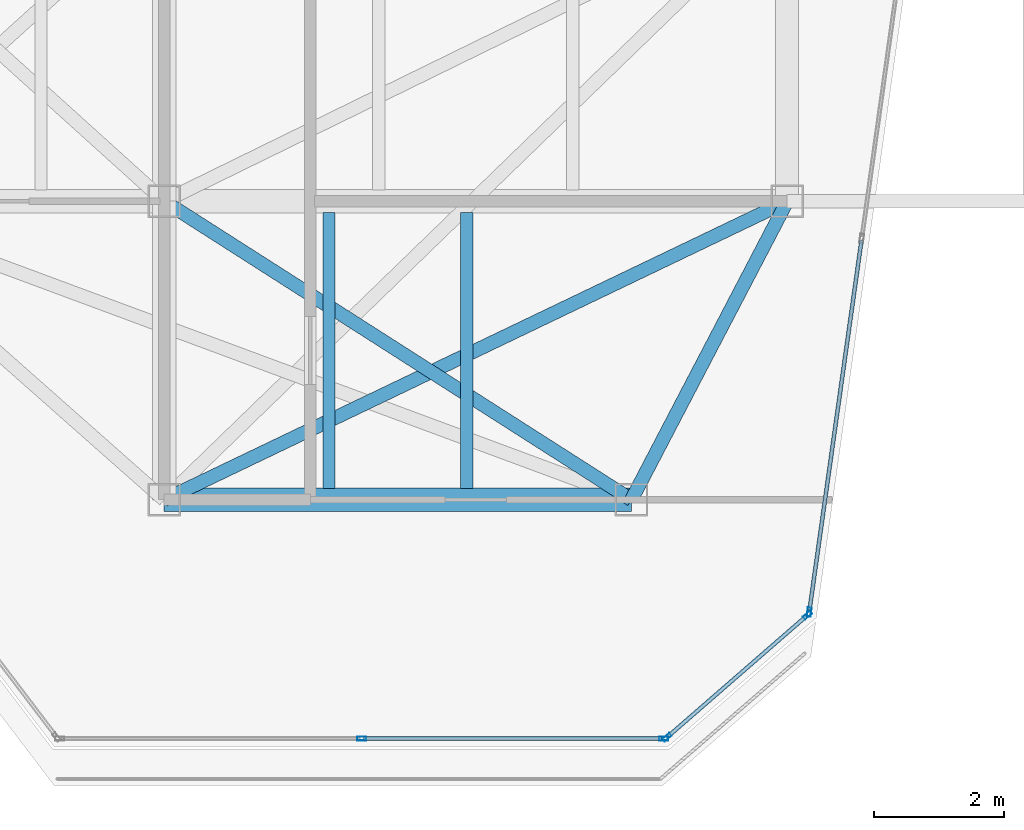
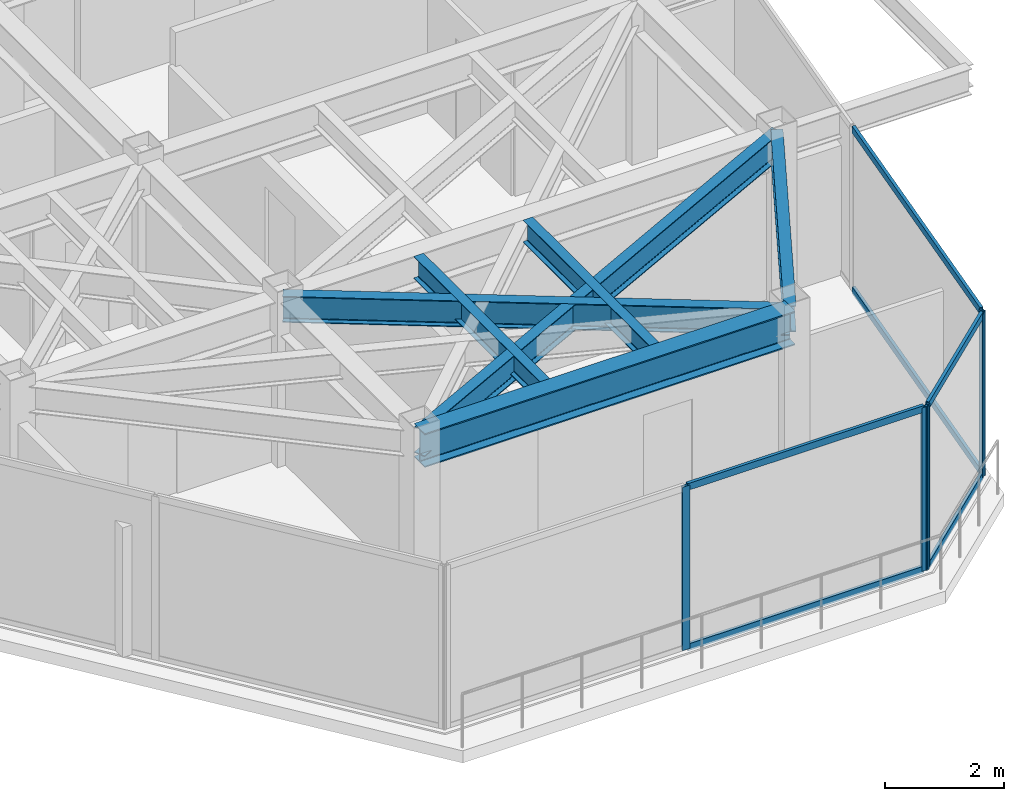
# One storey, part 8 of 17: 11 members, 6 beams, 3 elements without a shape of their own.
"""IFC4 building model written with IfcOpenShell, lengths in metres."""

from ifc_helpers import new_model, si_unit, direction, frame, origin, origin_2d, place, context, subcontext, project, spatial, hollow_rectangle, i_section, extrude, material, layer, layer_set, material_profile, profile_set, type_object, element, aggregate, save


model = new_model("IFC4")

# Units and contexts
model_context = context("Model", 3, precision=1e-05, world=origin(), true_north=direction((0.0, 1.0)))
body_context = subcontext(model_context, "Body", "Model", "MODEL_VIEW")
ifc_project = project(units=[si_unit("LENGTHUNIT", "METRE"), si_unit("AREAUNIT", "SQUARE_METRE"), si_unit("VOLUMEUNIT", "CUBIC_METRE"), si_unit("PLANEANGLEUNIT", "RADIAN"), si_unit("MASSUNIT", "GRAM", prefix="KILO")], contexts=[model_context])

# Site, building, storey
site_placement = place(None, origin())
site = spatial("IfcSite", under=ifc_project, at=site_placement, CompositionType="ELEMENT")
building_placement = place(site_placement, origin())
building = spatial("IfcBuilding", under=site, at=building_placement, Name="Kravanh Interchange Tower", CompositionType="ELEMENT")
storey_placement = place(building_placement, frame((0.0, 0.0, 263.39990234375)))
storey = spatial("IfcBuildingStorey", under=building, at=storey_placement, Name="L64", CompositionType="ELEMENT", Elevation=263.39990234375)

# Curtain wall, member
ifc_material_1 = material(Name="Anodised Bronze Aluminium", Category="aluminium")
ifc_layer = layer(ifc_material_1, 0.179931640625)
ifc_layer_set = layer_set([ifc_layer], Name="Unitised Curtain Wall System CW-HTL Luxury Hotel")
curtain_wall_type = type_object("IfcCurtainWallType", Name="Unitised Curtain Wall System CW-HTL Luxury Hotel", PredefinedType="NOTDEFINED", material=ifc_layer_set)
curtain_wall_1_placement = place(storey_placement, origin())
curtain_wall_1 = element("IfcCurtainWall", 1, at=curtain_wall_1_placement, inside=storey, type_object=curtain_wall_type, Name="L64 Unitised Curtain Wall CW-L64-01", PredefinedType="NOTDEFINED")
ifc_material_2 = material(Name="Anodised Bronze Aluminium", Category="aluminium")
ifc_material_profile_1 = material_profile(ifc_material_2, hollow_rectangle(XDim=0.06005859375, YDim=0.139892578125, WallThickness=0.00390625, at=origin_2d()), Name="ALU60X140X4")
ifc_profile_set_1 = profile_set([ifc_material_profile_1], Name="Anodised Bronze Aluminium")
member_type_1 = type_object("IfcMemberType", Name="Curtain Wall Mullion ALU60X140X4 Bronze", PredefinedType="MULLION", material=ifc_profile_set_1)
member_1_placement = place(storey_placement, frame((65.939697265625, 20.47119140625, 0.0), z_axis=(0.0, 0.0, 1.0), x_axis=(0.990267785894, -0.139175113512, 0.0)))
member_1 = element("IfcMember", 2, at=member_1_placement, type_object=member_type_1, Name="CW-HTL mullion 4", PredefinedType="MULLION", context=body_context, shape_type="SweptSolid", body=[
    extrude(hollow_rectangle(XDim=0.06005859375, YDim=0.139892578125, WallThickness=0.00390625, at=origin_2d()), origin(), (0.0, 0.0, 1.0), 3.360107421875),
])

# Curtain wall, members
curtain_wall_2_placement = place(storey_placement, origin())
curtain_wall_2 = element("IfcCurtainWall", 3, at=curtain_wall_2_placement, inside=storey, type_object=curtain_wall_type, Name="L64 Unitised Curtain Wall CW-L64-02", PredefinedType="NOTDEFINED")
member_2_placement = place(storey_placement, frame((65.912841796875, 20.421875, 0.0), z_axis=(0.0, 0.0, 1.0), x_axis=(0.656033323139, -0.75473192521, 0.0)))
member_2 = element("IfcMember", 4, at=member_2_placement, type_object=member_type_1, Name="CW-HTL mullion 1", PredefinedType="MULLION", context=body_context, shape_type="SweptSolid", body=[
    extrude(hollow_rectangle(XDim=0.06005859375, YDim=0.139892578125, WallThickness=0.00390625, at=origin_2d()), origin(), (0.0, 0.0, 1.0), 3.360107421875),
])
member_3_placement = place(storey_placement, frame((63.74755859375, 18.539794921875, 0.0), z_axis=(0.0, 0.0, 1.0), x_axis=(0.656033323139, -0.75473192521, 0.0)))
member_3 = element("IfcMember", 5, at=member_3_placement, type_object=member_type_1, Name="CW-HTL mullion 2", PredefinedType="MULLION", context=body_context, shape_type="SweptSolid", body=[
    extrude(hollow_rectangle(XDim=0.06005859375, YDim=0.139892578125, WallThickness=0.00390625, at=origin_2d()), origin(), (0.0, 0.0, 1.0), 3.360107421875),
])

curtain_wall_3_placement = place(storey_placement, origin())
curtain_wall_3 = element("IfcCurtainWall", 6, at=curtain_wall_3_placement, inside=storey, type_object=curtain_wall_type, Name="L64 Unitised Curtain Wall CW-L64-03", PredefinedType="NOTDEFINED")
member_4_placement = place(storey_placement, frame((63.69482421875, 18.52001953125, 0.0), z_axis=(0.0, 0.0, 1.0), x_axis=(0.0, -1.0, 0.0)))
member_4 = element("IfcMember", 7, at=member_4_placement, type_object=member_type_1, Name="CW-HTL mullion 1", PredefinedType="MULLION", context=body_context, shape_type="SweptSolid", body=[
    extrude(hollow_rectangle(XDim=0.06005859375, YDim=0.139892578125, WallThickness=0.00390625, at=origin_2d()), origin(), (0.0, 0.0, 1.0), 3.360107421875),
])
member_5_placement = place(storey_placement, frame((59.042236328125, 18.52001953125, 0.0), z_axis=(0.0, 0.0, 1.0), x_axis=(0.0, -1.0, 0.0)))
member_5 = element("IfcMember", 8, at=member_5_placement, type_object=member_type_1, Name="CW-HTL mullion 2", PredefinedType="MULLION", context=body_context, shape_type="SweptSolid", body=[
    extrude(hollow_rectangle(XDim=0.06005859375, YDim=0.139892578125, WallThickness=0.00390625, at=origin_2d()), origin(), (0.0, 0.0, 1.0), 3.360107421875),
])

# Member
ifc_material_3 = material(Name="Anodised Bronze Aluminium", Category="aluminium")
ifc_material_profile_2 = material_profile(ifc_material_3, hollow_rectangle(XDim=0.06005859375, YDim=0.139892578125, WallThickness=0.00390625, at=origin_2d()), Name="ALU60X140X4")
ifc_profile_set_2 = profile_set([ifc_material_profile_2], Name="Anodised Bronze Aluminium")
member_type_2 = type_object("IfcMemberType", Name="Curtain Wall Transom ALU60X140X4 Bronze", PredefinedType="USERDEFINED", material=ifc_profile_set_2)
member_6_placement = place(storey_placement, frame((66.74462890625, 26.197998046875, 0.030029296875), z_axis=(-0.139193060383, -0.990265263423, 0.0), x_axis=(0.990265263423, -0.139193060383, 0.0)))
member_6 = element("IfcMember", 9, at=member_6_placement, type_object=member_type_2, Name="CW-HTL transom 3.1", ObjectType="TRANSOM", PredefinedType="USERDEFINED", context=body_context, shape_type="SweptSolid", body=[
    extrude(hollow_rectangle(XDim=0.06005859375, YDim=0.139892578125, WallThickness=0.00390625, at=origin_2d()), origin(), (0.0, 0.0, 1.0), 5.7529296875),
])

member_7_placement = place(storey_placement, frame((66.74462890625, 26.197998046875, 3.330078125), z_axis=(-0.139193060383, -0.990265263423, 0.0), x_axis=(0.990265263423, -0.139193060383, 0.0)))
member_7 = element("IfcMember", 10, at=member_7_placement, type_object=member_type_2, Name="CW-HTL transom 3.2", ObjectType="TRANSOM", PredefinedType="USERDEFINED", context=body_context, shape_type="SweptSolid", body=[
    extrude(hollow_rectangle(XDim=0.06005859375, YDim=0.139892578125, WallThickness=0.00390625, at=origin_2d()), origin(), (0.0, 0.0, 1.0), 5.7529296875),
])

aggregate(curtain_wall_1, [member_1, member_6, member_7])

member_8_placement = place(storey_placement, frame((65.89013671875, 20.40234375, 0.030029296875), z_axis=(-0.754704676026, -0.656064670581, 0.0), x_axis=(0.656064670581, -0.754704676026, 0.0)))
member_8 = element("IfcMember", 11, at=member_8_placement, type_object=member_type_2, Name="CW-HTL transom 1.1", ObjectType="TRANSOM", PredefinedType="USERDEFINED", context=body_context, shape_type="SweptSolid", body=[
    extrude(hollow_rectangle(XDim=0.06005859375, YDim=0.139892578125, WallThickness=0.00390625, at=origin_2d()), origin(), (0.0, 0.0, 1.0), 2.80908203125),
])

member_9_placement = place(storey_placement, frame((65.89013671875, 20.40234375, 3.330078125), z_axis=(-0.754704676026, -0.656064670581, 0.0), x_axis=(0.656064670581, -0.754704676026, 0.0)))
member_9 = element("IfcMember", 12, at=member_9_placement, type_object=member_type_2, Name="CW-HTL transom 1.2", ObjectType="TRANSOM", PredefinedType="USERDEFINED", context=body_context, shape_type="SweptSolid", body=[
    extrude(hollow_rectangle(XDim=0.06005859375, YDim=0.139892578125, WallThickness=0.00390625, at=origin_2d()), origin(), (0.0, 0.0, 1.0), 2.80908203125),
])

aggregate(curtain_wall_2, [member_2, member_3, member_8, member_9])

member_10_placement = place(storey_placement, frame((63.664794921875, 18.52001953125, 0.030029296875), z_axis=(-1.0, 0.0, 0.0), x_axis=(0.0, -1.0, 0.0)))
member_10 = element("IfcMember", 13, at=member_10_placement, type_object=member_type_2, Name="CW-HTL transom 1.1", ObjectType="TRANSOM", PredefinedType="USERDEFINED", context=body_context, shape_type="SweptSolid", body=[
    extrude(hollow_rectangle(XDim=0.06005859375, YDim=0.139892578125, WallThickness=0.00390625, at=origin_2d()), origin(), (0.0, 0.0, 1.0), 4.592529296875),
])

member_11_placement = place(storey_placement, frame((63.664794921875, 18.52001953125, 3.330078125), z_axis=(-1.0, 0.0, 0.0), x_axis=(0.0, -1.0, 0.0)))
member_11 = element("IfcMember", 14, at=member_11_placement, type_object=member_type_2, Name="CW-HTL transom 1.2", ObjectType="TRANSOM", PredefinedType="USERDEFINED", context=body_context, shape_type="SweptSolid", body=[
    extrude(hollow_rectangle(XDim=0.06005859375, YDim=0.139892578125, WallThickness=0.00390625, at=origin_2d()), origin(), (0.0, 0.0, 1.0), 4.592529296875),
])

aggregate(curtain_wall_3, [member_4, member_5, member_10, member_11])

# Beams
ifc_material_4 = material(Name="Structural Steel S355", Category="steel")
ifc_material_profile_3 = material_profile(ifc_material_4, i_section(OverallWidth=0.35498046875, OverallDepth=0.696044921875, WebThickness=0.015380859375, FlangeThickness=0.02490234375, FilletRadius=0.02392578125, at=origin_2d()), Name="W27X146")
ifc_profile_set_3 = profile_set([ifc_material_profile_3], Name="Structural Steel S355")
beam_type_1 = type_object("IfcBeamType", Name="Floor Beam W27X146 Structural Steel S355", PredefinedType="BEAM", material=ifc_profile_set_3)
beam_1_placement = place(storey_placement, frame((56.0, 22.199951171875, 3.01220703125), z_axis=(1.0, 0.0, 0.0), x_axis=(0.0, 1.0, 0.0)))
element("IfcBeam", 15, at=beam_1_placement, inside=storey, type_object=beam_type_1, Name="L64 Primary Floor Girder 33", PredefinedType="BEAM", context=body_context, shape_type="SweptSolid", body=[
    extrude(i_section(OverallWidth=0.35498046875, OverallDepth=0.696044921875, WebThickness=0.015380859375, FlangeThickness=0.02490234375, FilletRadius=0.02392578125, at=origin_2d()), origin(), (0.0, 0.0, 1.0), 7.199951171875),
])
ifc_material_5 = material(Name="Structural Steel S355", Category="steel")
ifc_material_profile_4 = material_profile(ifc_material_5, i_section(OverallWidth=0.18994140625, OverallDepth=0.45703125, WebThickness=0.009033203125, FlangeThickness=0.014404296875, FilletRadius=0.01806640625, at=origin_2d()), Name="W18X50")
ifc_profile_set_4 = profile_set([ifc_material_profile_4], Name="Structural Steel S355")
beam_type_2 = type_object("IfcBeamType", Name="Floor Joist W18X50 Structural Steel S355", PredefinedType="JOIST", material=ifc_profile_set_4)
for number, where, z_axis, x_axis, name in (
    (16, (58.5380859375, 22.37255859375, 3.131591796875), (0.0, 1.0, 0.0), (-1.0, 0.0, 0.0), "L64 Secondary Floor Joist 1"),
    (17, (60.662109375, 22.37255859375, 3.131591796875), (0.0, 1.0, 0.0), (-1.0, 0.0, 0.0), "L64 Secondary Floor Joist 2"),
):
    element("IfcBeam", number, at=place(storey_placement, frame(where, z_axis=z_axis, x_axis=x_axis)), inside=storey, type_object=beam_type_2, Name=name, PredefinedType="JOIST", context=body_context, shape_type="SweptSolid", body=[
        extrude(i_section(OverallWidth=0.18994140625, OverallDepth=0.45703125, WebThickness=0.009033203125, FlangeThickness=0.014404296875, FilletRadius=0.01806640625, at=origin_2d()), origin(), (0.0, 0.0, 1.0), 4.2548828125),
    ])
ifc_material_6 = material(Name="Structural Steel S355", Category="steel")
ifc_material_profile_5 = material_profile(ifc_material_6, i_section(OverallWidth=0.2099609375, OverallDepth=0.537109375, WebThickness=0.010986328125, FlangeThickness=0.017333984375, FilletRadius=0.02001953125, at=origin_2d()), Name="W21X68")
ifc_profile_set_5 = profile_set([ifc_material_profile_5], Name="Structural Steel S355")
beam_type_3 = type_object("IfcBeamType", Name="Floor Spandrel W21X68 Structural Steel S355", PredefinedType="SPANDREL", material=ifc_profile_set_5)
beam_2_placement = place(storey_placement, frame((56.0, 26.800048828125, 3.091552734375), z_axis=(0.842689417531, -0.53839998661, 0.0), x_axis=(0.53839998661, 0.842689417531, 0.0)))
element("IfcBeam", 18, at=beam_2_placement, inside=storey, type_object=beam_type_3, Name="L64 Perimeter Spandrel 29", PredefinedType="SPANDREL", context=body_context, shape_type="SweptSolid", body=[
    extrude(i_section(OverallWidth=0.2099609375, OverallDepth=0.537109375, WebThickness=0.010986328125, FlangeThickness=0.017333984375, FilletRadius=0.02001953125, at=origin_2d()), origin(), (0.0, 0.0, 1.0), 8.5439453125),
])
beam_3_placement = place(storey_placement, frame((65.60009765625, 26.800048828125, 3.091552734375), z_axis=(-0.462580479178, -0.886577295155, 0.0), x_axis=(0.886577295155, -0.462580479178, 0.0)))
element("IfcBeam", 19, at=beam_3_placement, inside=storey, type_object=beam_type_3, Name="L64 Perimeter Spandrel 31", PredefinedType="SPANDREL", context=body_context, shape_type="SweptSolid", body=[
    extrude(i_section(OverallWidth=0.2099609375, OverallDepth=0.537109375, WebThickness=0.010986328125, FlangeThickness=0.017333984375, FilletRadius=0.02001953125, at=origin_2d()), origin(), (0.0, 0.0, 1.0), 5.188720703125),
])
beam_4_placement = place(storey_placement, frame((65.60009765625, 26.800048828125, 3.091552734375), z_axis=(-0.901814166789, -0.432124066188, 0.0), x_axis=(0.432124066188, -0.901814166789, 0.0)))
element("IfcBeam", 20, at=beam_4_placement, inside=storey, type_object=beam_type_3, Name="L64 Perimeter Spandrel 32", PredefinedType="SPANDREL", context=body_context, shape_type="SweptSolid", body=[
    extrude(i_section(OverallWidth=0.2099609375, OverallDepth=0.537109375, WebThickness=0.010986328125, FlangeThickness=0.017333984375, FilletRadius=0.02001953125, at=origin_2d()), origin(), (0.0, 0.0, 1.0), 10.645263671875),
])

save(model, "model.ifc")
